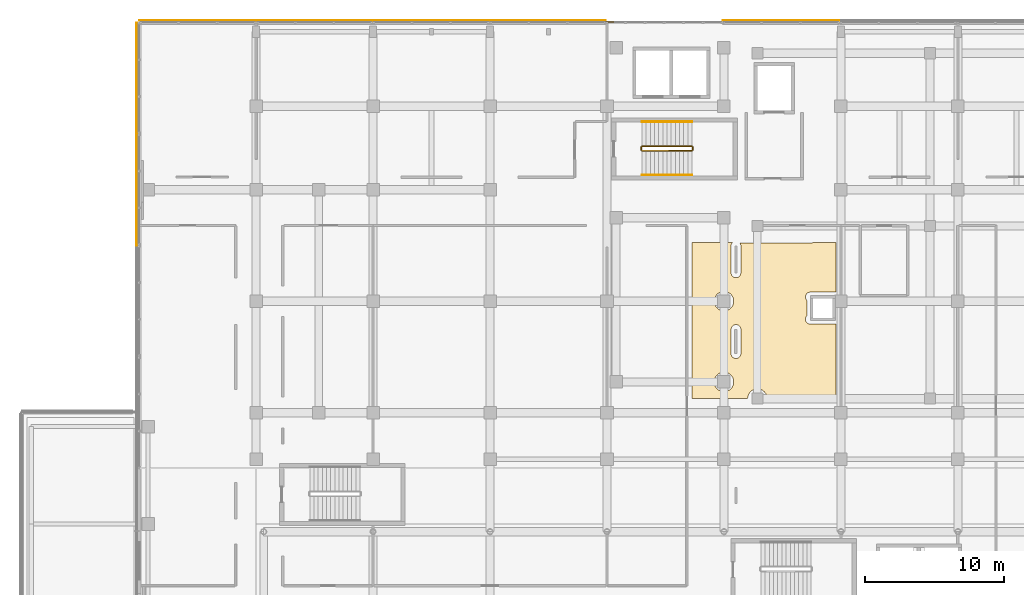
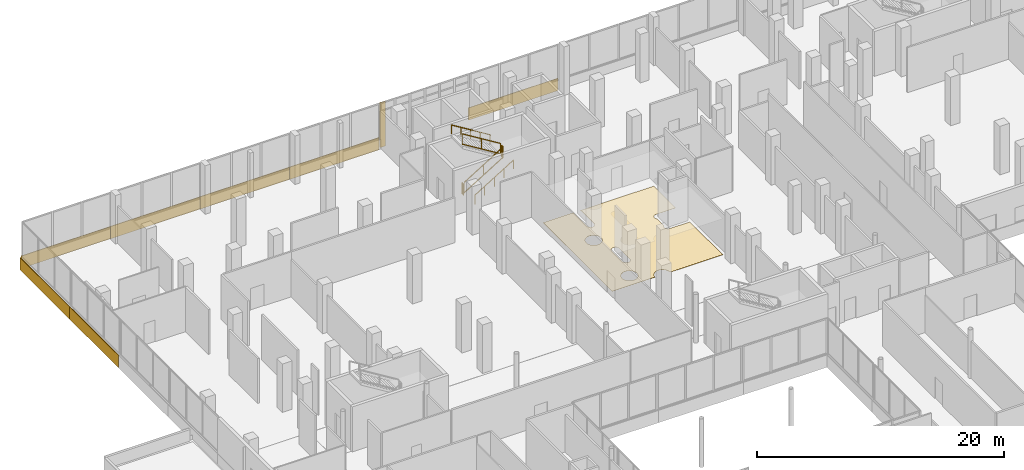
# One storey, part 163 of 168: 9 coverings, 6 railings.
"""IFC4 building model written with IfcOpenShell, lengths in metres."""

import ifcopenshell
import ifcopenshell.guid

model = None  # the IFC model being written
_history = None  # IfcOwnerHistory: only IFC2X3 demands one
_inside = {}  # id of a spatial element -> (the spatial element, [elements in it])
_under = {}  # id of a project, library or spatial element -> (it, [spatial elements below it])
_declared = {}  # id of a project -> (the project, [libraries it declares])
_typed = {}  # id of a type object -> (the type object, [elements of that type])
_made_of = {}  # id of a material, layer set ... -> (it, [elements and type objects made of it])


def new_model(schema):
    """Start an empty IFC model of exactly this schema.

    Asked for "IFC4X3", IfcOpenShell would pick the latest addendum, in which some entities
    have other attributes; the version numbers below select the first issue.
    IFC2X3 requires an IfcOwnerHistory on every rooted entity: one is made here for all.
    """
    global model, _history
    if schema == "IFC4X3":
        model = ifcopenshell.file(schema_version=(4, 3, 0, 0))
    else:
        model = ifcopenshell.file(schema=schema)
    _inside.clear()
    _under.clear()
    _declared.clear()
    _typed.clear()
    _made_of.clear()
    _history = None
    if model.schema == "IFC2X3":
        org = make("IfcOrganization", Name="unknown")
        user = make(
            "IfcPersonAndOrganization",
            ThePerson=make("IfcPerson", FamilyName="unknown"),
            TheOrganization=org,
        )
        app = make(
            "IfcApplication",
            ApplicationDeveloper=org,
            Version="unknown",
            ApplicationFullName="unknown",
            ApplicationIdentifier="unknown",
        )
        _history = make(
            "IfcOwnerHistory",
            OwningUser=user,
            OwningApplication=app,
            ChangeAction="ADDED",
            CreationDate=0,
        )
    return model


def make(cls, **values):
    """One entity of the class cls with the attributes given. An attribute that is None is left unset."""
    return model.create_entity(
        cls, **{name: value for name, value in values.items() if value is not None}
    )


def rooted(cls, **values):
    """An entity with a GlobalId (a new one), such as an element, a storey or a relation."""
    return make(cls, GlobalId=ifcopenshell.guid.new(), OwnerHistory=_history, **values)


def si_unit(unit_type, name, prefix=None):
    """IfcSIUnit, for example si_unit("LENGTHUNIT", "METRE", prefix="MILLI")."""
    return make("IfcSIUnit", UnitType=unit_type, Prefix=prefix, Name=name)


def assignment(units):
    """IfcUnitAssignment: the units of a project."""
    return None if units is None else make("IfcUnitAssignment", Units=units)


def point(xyz):
    """IfcCartesianPoint."""
    return None if xyz is None else make("IfcCartesianPoint", Coordinates=xyz)


def direction(xyz):
    """IfcDirection."""
    return None if xyz is None else make("IfcDirection", DirectionRatios=xyz)


def frame(location, z_axis=None, x_axis=None):
    """IfcAxis2Placement3D, a coordinate frame: its origin and axes. An axis left out is left unset."""
    return make(
        "IfcAxis2Placement3D",
        Location=point(location),
        Axis=direction(z_axis),
        RefDirection=direction(x_axis),
    )


def frame_2d(location, x_axis=None):
    """IfcAxis2Placement2D, a coordinate frame in the plane: its origin and x axis."""
    return make(
        "IfcAxis2Placement2D", Location=point(location), RefDirection=direction(x_axis)
    )


def origin():
    """The frame at (0, 0, 0) with its axes left unset."""
    return frame((0.0, 0.0, 0.0))


def origin_2d():
    """The frame at (0, 0) in the plane with its x axis left unset."""
    return frame_2d((0.0, 0.0))


def place(relative_to, where):
    """IfcLocalPlacement: puts the frame where relative to a parent placement (None: the world)."""
    return make(
        "IfcLocalPlacement", PlacementRelTo=relative_to, RelativePlacement=where
    )


def context(
    kind, dimensions, precision=None, world=None, true_north=None, identifier=None
):
    """IfcGeometricRepresentationContext, for example the 3D "Model" context."""
    return make(
        "IfcGeometricRepresentationContext",
        ContextIdentifier=identifier,
        ContextType=kind,
        CoordinateSpaceDimension=dimensions,
        Precision=precision,
        WorldCoordinateSystem=world,
        TrueNorth=true_north,
    )


def subcontext(parent, identifier, kind, view, scale=None):
    """IfcGeometricRepresentationSubContext, for example "Body" below "Model"."""
    return make(
        "IfcGeometricRepresentationSubContext",
        ContextIdentifier=identifier,
        ContextType=kind,
        ParentContext=parent,
        TargetScale=scale,
        TargetView=view,
    )


def project(units=None, contexts=None):
    """IfcProject with its units and contexts."""
    return rooted(
        "IfcProject",
        Name="project",
        RepresentationContexts=contexts,
        UnitsInContext=assignment(units),
    )


def spatial(cls, under=None, at=None, **own):
    """A site, building, storey or space (cls), placed at a placement, below another one or the project."""
    s = rooted(cls, ObjectPlacement=at, **own)
    if under is not None:
        _under.setdefault(under.id(), (under, []))[1].append(s)
    return s


def polyline(points):
    """IfcPolyline through the points."""
    return make("IfcPolyline", Points=[point(p) for p in points])


def profile(cls, at=None, kind="AREA", **sizes):
    """A parametric profile (cls). Its sizes go by their IFC names, for example OverallWidth=200.0."""
    return make(cls, ProfileType=kind, Position=at, **sizes)


def rectangle(**sizes):
    """IfcRectangleProfileDef."""
    return profile("IfcRectangleProfileDef", **sizes)


def circle(**sizes):
    """IfcCircleProfileDef."""
    return profile("IfcCircleProfileDef", **sizes)


def outline(outer, holes=None, kind="AREA"):
    """IfcArbitraryClosedProfileDef: a profile drawn as a closed curve; with holes, ...WithVoids."""
    if holes is None:
        return make("IfcArbitraryClosedProfileDef", ProfileType=kind, OuterCurve=outer)
    return make(
        "IfcArbitraryProfileDefWithVoids",
        ProfileType=kind,
        OuterCurve=outer,
        InnerCurves=holes,
    )


def extrude(swept, where, along, depth):
    """IfcExtrudedAreaSolid: the profile swept, set in the frame where, extruded along a direction by depth."""
    return make(
        "IfcExtrudedAreaSolid",
        SweptArea=swept,
        Position=where,
        ExtrudedDirection=direction(along),
        Depth=depth,
    )


def shape(context_of_items, identifier, shape_type, items):
    """IfcShapeRepresentation: the items that make up one representation, for example the "Body"."""
    return make(
        "IfcShapeRepresentation",
        ContextOfItems=context_of_items,
        RepresentationIdentifier=identifier,
        RepresentationType=shape_type,
        Items=items,
    )


def material(Name=None, Category=None):
    """IfcMaterial."""
    return make("IfcMaterial", Name=Name, Category=Category)


def layer(
    of_material, thickness, ventilated=None, Name=None, Category=None, Priority=None
):
    """IfcMaterialLayer: one layer of a wall or slab, of a material (None: an air gap)."""
    return make(
        "IfcMaterialLayer",
        Material=of_material,
        LayerThickness=thickness,
        IsVentilated=ventilated,
        Name=Name,
        Category=Category,
        Priority=Priority,
    )


def layer_set(layers, Name=None):
    """IfcMaterialLayerSet."""
    return make("IfcMaterialLayerSet", MaterialLayers=layers, LayerSetName=Name)


def made_of(thing, what):
    """Note that an element or type object is made of a material, layer set ...; save() writes the relation."""
    if what is not None:
        _made_of.setdefault(what.id(), (what, []))[1].append(thing)
    return thing


def type_object(cls, material=None, **own):
    """A type object (cls), such as IfcWallType, which elements share."""
    return made_of(rooted(cls, **own), material)


def element(
    cls,
    number,
    at=None,
    inside=None,
    cuts=None,
    type_object=None,
    material=None,
    context=None,
    identifier="Body",
    shape_type=None,
    held_by="IfcProductDefinitionShape",
    body=None,
    shapes=None,
    **own,
):
    """One element of the class cls, such as IfcWall. Its Tag is "e" and its number.

    at: its placement. inside: the storey or other place that contains it. cuts: it is an
    opening in that element (IfcRelVoidsElement). A single representation is given by context,
    identifier, shape_type and body (its items); several are given by shapes. held_by: the class
    of the entity that holds the representations. save() writes the other relations.
    """
    e = rooted(cls, Tag="e%d" % number, ObjectPlacement=at, **own)
    if body is not None:
        shapes = [shape(context, identifier, shape_type, body)]
    if shapes is not None:
        e.Representation = make(held_by, Representations=shapes)
    if inside is not None:
        _inside.setdefault(inside.id(), (inside, []))[1].append(e)
    if cuts is not None:
        rooted(
            "IfcRelVoidsElement", RelatingBuildingElement=cuts, RelatedOpeningElement=e
        )
    if type_object is not None:
        _typed.setdefault(type_object.id(), (type_object, []))[1].append(e)
    return made_of(e, material)


def aggregate(whole, parts):
    """IfcRelAggregates: a whole, such as a stair, and the parts it consists of."""
    return rooted("IfcRelAggregates", RelatingObject=whole, RelatedObjects=parts)


def save(model, path):
    """Write the relations noted so far, then the file.

    IfcRelAggregates (storeys below a building ...), IfcRelContainedInSpatialStructure (elements
    in a storey), IfcRelDefinesByType, IfcRelAssociatesMaterial and IfcRelDeclares: one each for
    every whole, place, type object, material and project.
    """
    for whole, parts in _under.values():
        aggregate(whole, parts)
    for where, things in _inside.values():
        rooted(
            "IfcRelContainedInSpatialStructure",
            RelatedElements=things,
            RelatingStructure=where,
        )
    for kind, things in _typed.values():
        rooted("IfcRelDefinesByType", RelatedObjects=things, RelatingType=kind)
    for what, things in _made_of.values():
        rooted("IfcRelAssociatesMaterial", RelatedObjects=things, RelatingMaterial=what)
    for by, libraries in _declared.values():
        rooted("IfcRelDeclares", RelatingContext=by, RelatedDefinitions=libraries)
    model.write(path)


model = new_model("IFC4")

# Units and contexts
model_context = context("Model", 3, precision=1e-05, world=origin(), true_north=direction((0.0, 1.0)))
body_context = subcontext(model_context, "Body", "Model", "MODEL_VIEW")
ifc_project = project(units=[si_unit("LENGTHUNIT", "METRE"), si_unit("AREAUNIT", "SQUARE_METRE"), si_unit("VOLUMEUNIT", "CUBIC_METRE"), si_unit("PLANEANGLEUNIT", "RADIAN"), si_unit("MASSUNIT", "GRAM", prefix="KILO")], contexts=[model_context])

# Site, building, storey
site_placement = place(None, origin())
site = spatial("IfcSite", under=ifc_project, at=site_placement, CompositionType="ELEMENT")
building_placement = place(site_placement, origin())
building = spatial("IfcBuilding", under=site, at=building_placement, Name="Selatvlak General Hospital", CompositionType="ELEMENT")
storey_placement = place(building_placement, frame((0.0, 0.0, 5.39990234375)))
storey = spatial("IfcBuildingStorey", under=building, at=storey_placement, Name="L01", CompositionType="ELEMENT", Elevation=5.39990234375)

# Coverings
ifc_material_1 = material(Name="Homogeneous anti-static hospital vinyl flooring")
ifc_layer_1 = layer(ifc_material_1, 0.014892578125, Name="Homogeneous anti-static hospital vinyl flooring")
ifc_layer_set_1 = layer_set([ifc_layer_1], Name="Homogeneous anti-static hospital vinyl flooring")
covering_type_1 = type_object("IfcCoveringType", Name="COV-FLR1", PredefinedType="FLOORING", material=ifc_layer_set_1)
covering_1_placement = place(storey_placement, origin())
element("IfcCovering", 1, at=covering_1_placement, inside=storey, type_object=covering_type_1, Name="L01 seamless vinyl flooring 003", PredefinedType="FLOORING", context=body_context, shape_type="SweptSolid", body=[
    extrude(outline(polyline([(57.0009765625, 104.199951171875), (56.968994140625, 104.158935546875), (56.950927734375, 104.1298828125), (56.93701171875, 104.09912109375), (56.925048828125, 104.06689453125), (56.9169921875, 104.032958984375), (56.912109375, 103.9990234375), (56.909912109375, 103.965087890625), (56.909912109375, 102.034912109375), (56.912109375, 102.0009765625), (56.9169921875, 101.967041015625), (56.925048828125, 101.93310546875), (56.93701171875, 101.90087890625), (56.950927734375, 101.8701171875), (56.968994140625, 101.841064453125), (56.989013671875, 101.81298828125), (57.012939453125, 101.7880859375), (57.0380859375, 101.763916015625), (57.06591796875, 101.743896484375), (57.094970703125, 101.72607421875), (57.1259765625, 101.7119140625), (57.157958984375, 101.699951171875), (57.19189453125, 101.69189453125), (57.22607421875, 101.68701171875), (57.260009765625, 101.68505859375), (57.2939453125, 101.68701171875), (57.327880859375, 101.69189453125), (57.362060546875, 101.699951171875), (57.39404296875, 101.7119140625), (57.425048828125, 101.72607421875), (57.4541015625, 101.743896484375), (57.48193359375, 101.763916015625), (57.507080078125, 101.7880859375), (57.531005859375, 101.81298828125), (57.551025390625, 101.841064453125), (57.569091796875, 101.8701171875), (57.5830078125, 101.90087890625), (57.594970703125, 101.93310546875), (57.60302734375, 101.967041015625), (57.60791015625, 102.0009765625), (57.610107421875, 102.034912109375), (57.610107421875, 103.965087890625), (57.60791015625, 103.9990234375), (57.60302734375, 104.032958984375), (57.594970703125, 104.06689453125), (57.5830078125, 104.09912109375), (57.569091796875, 104.1298828125), (57.551025390625, 104.158935546875), (57.531005859375, 104.18701171875), (64.449951171875, 104.199951171875), (64.449951171875, 100.64599609375), (64.39990234375, 100.64990234375), (62.60009765625, 100.64990234375), (62.56591796875, 100.64794921875), (62.531982421875, 100.64306640625), (62.498046875, 100.635009765625), (62.466064453125, 100.623046875), (62.43505859375, 100.60888671875), (62.406005859375, 100.591064453125), (62.3779296875, 100.571044921875), (62.35302734375, 100.547119140625), (62.3291015625, 100.52197265625), (62.30908203125, 100.493896484375), (62.291015625, 100.465087890625), (62.277099609375, 100.43408203125), (62.264892578125, 100.402099609375), (62.257080078125, 100.367919921875), (62.251953125, 100.333984375), (62.25, 100.300048828125), (62.251953125, 100.26611328125), (62.257080078125, 100.23193359375), (62.264892578125, 100.197998046875), (62.277099609375, 100.166015625), (62.291015625, 100.135009765625), (62.30908203125, 100.10595703125), (62.3291015625, 100.077880859375), (62.35009765625, 100.054931640625), (62.35009765625, 98.945068359375), (62.3291015625, 98.922119140625), (62.30908203125, 98.89404296875), (62.291015625, 98.864990234375), (62.277099609375, 98.833984375), (62.264892578125, 98.802001953125), (62.257080078125, 98.76806640625), (62.251953125, 98.73388671875), (62.25, 98.699951171875), (62.251953125, 98.666015625), (62.257080078125, 98.632080078125), (62.264892578125, 98.597900390625), (62.277099609375, 98.56591796875), (62.291015625, 98.534912109375), (62.30908203125, 98.506103515625), (62.3291015625, 98.47802734375), (62.35302734375, 98.452880859375), (62.3779296875, 98.428955078125), (62.406005859375, 98.408935546875), (62.43505859375, 98.39111328125), (62.466064453125, 98.376953125), (62.498046875, 98.364990234375), (62.531982421875, 98.35693359375), (62.56591796875, 98.35205078125), (62.60009765625, 98.35009765625), (64.39990234375, 98.35009765625), (64.43408203125, 98.35205078125), (64.449951171875, 93.0), (59.5, 93.0), (59.4970703125, 93.069091796875), (59.487060546875, 93.136962890625), (59.469970703125, 93.202880859375), (59.447021484375, 93.26806640625), (59.4169921875, 93.330078125), (59.382080078125, 93.388916015625), (59.341064453125, 93.444091796875), (59.294921875, 93.4951171875), (59.243896484375, 93.541015625), (59.18896484375, 93.58203125), (59.1298828125, 93.616943359375), (59.068115234375, 93.64697265625), (59.0029296875, 93.669921875), (58.93701171875, 93.68701171875), (58.868896484375, 93.697021484375), (58.800048828125, 93.699951171875), (58.73095703125, 93.697021484375), (58.6630859375, 93.68701171875), (58.596923828125, 93.669921875), (58.531982421875, 93.64697265625), (58.469970703125, 93.616943359375), (58.410888671875, 93.58203125), (58.35595703125, 93.541015625), (58.304931640625, 93.4951171875), (58.259033203125, 93.444091796875), (58.218017578125, 93.388916015625), (58.18310546875, 93.330078125), (58.153076171875, 93.26806640625), (58.1298828125, 93.202880859375), (58.113037109375, 93.136962890625), (58.10302734375, 93.069091796875), (58.10009765625, 93.0), (54.090087890625, 93.0), (54.090087890625, 104.199951171875), (57.0009765625, 104.199951171875)]), holes=[polyline([(56.89501953125, 93.705078125), (56.94091796875, 93.756103515625), (56.98193359375, 93.81103515625), (57.01708984375, 93.8701171875), (57.047119140625, 93.931884765625), (57.070068359375, 93.9970703125), (57.0869140625, 94.06298828125), (57.096923828125, 94.131103515625), (57.10009765625, 94.199951171875), (57.096923828125, 94.26904296875), (57.0869140625, 94.3369140625), (57.070068359375, 94.403076171875), (57.047119140625, 94.468017578125), (57.01708984375, 94.530029296875), (56.98193359375, 94.589111328125), (56.94091796875, 94.64404296875), (56.89501953125, 94.695068359375), (56.843994140625, 94.740966796875), (56.7890625, 94.781982421875), (56.72998046875, 94.81689453125), (56.66796875, 94.846923828125), (56.60302734375, 94.8701171875), (56.537109375, 94.886962890625), (56.468994140625, 94.89697265625), (56.39990234375, 94.89990234375), (56.3310546875, 94.89697265625), (56.262939453125, 94.886962890625), (56.197021484375, 94.8701171875), (56.132080078125, 94.846923828125), (56.070068359375, 94.81689453125), (56.010986328125, 94.781982421875), (55.9560546875, 94.740966796875), (55.905029296875, 94.695068359375), (55.85888671875, 94.64404296875), (55.818115234375, 94.589111328125), (55.782958984375, 94.530029296875), (55.7529296875, 94.468017578125), (55.72998046875, 94.403076171875), (55.712890625, 94.3369140625), (55.702880859375, 94.26904296875), (55.699951171875, 94.199951171875), (55.702880859375, 94.131103515625), (55.712890625, 94.06298828125), (55.72998046875, 93.9970703125), (55.7529296875, 93.931884765625), (55.782958984375, 93.8701171875), (55.818115234375, 93.81103515625), (55.85888671875, 93.756103515625), (55.905029296875, 93.705078125), (55.9560546875, 93.658935546875), (56.010986328125, 93.617919921875), (56.070068359375, 93.5830078125), (56.132080078125, 93.552978515625), (56.197021484375, 93.530029296875), (56.262939453125, 93.512939453125), (56.3310546875, 93.5029296875), (56.39990234375, 93.5), (56.468994140625, 93.5029296875), (56.537109375, 93.512939453125), (56.60302734375, 93.530029296875), (56.66796875, 93.552978515625), (56.72998046875, 93.5830078125), (56.7890625, 93.617919921875), (56.843994140625, 93.658935546875), (56.89501953125, 93.705078125)]), polyline([(56.89501953125, 99.5048828125), (56.94091796875, 99.555908203125), (56.98193359375, 99.611083984375), (57.01708984375, 99.669921875), (57.047119140625, 99.73193359375), (57.070068359375, 99.797119140625), (57.0869140625, 99.863037109375), (57.096923828125, 99.930908203125), (57.10009765625, 100.0), (57.096923828125, 100.069091796875), (57.0869140625, 100.136962890625), (57.070068359375, 100.202880859375), (57.047119140625, 100.26806640625), (57.01708984375, 100.330078125), (56.98193359375, 100.388916015625), (56.94091796875, 100.444091796875), (56.89501953125, 100.4951171875), (56.843994140625, 100.541015625), (56.7890625, 100.58203125), (56.72998046875, 100.616943359375), (56.66796875, 100.64697265625), (56.60302734375, 100.669921875), (56.537109375, 100.68701171875), (56.468994140625, 100.697021484375), (56.39990234375, 100.699951171875), (56.3310546875, 100.697021484375), (56.262939453125, 100.68701171875), (56.197021484375, 100.669921875), (56.132080078125, 100.64697265625), (56.070068359375, 100.616943359375), (56.010986328125, 100.58203125), (55.9560546875, 100.541015625), (55.905029296875, 100.4951171875), (55.85888671875, 100.444091796875), (55.818115234375, 100.388916015625), (55.782958984375, 100.330078125), (55.7529296875, 100.26806640625), (55.72998046875, 100.202880859375), (55.712890625, 100.136962890625), (55.702880859375, 100.069091796875), (55.699951171875, 100.0), (55.702880859375, 99.930908203125), (55.712890625, 99.863037109375), (55.72998046875, 99.797119140625), (55.7529296875, 99.73193359375), (55.782958984375, 99.669921875), (55.818115234375, 99.611083984375), (55.85888671875, 99.555908203125), (55.905029296875, 99.5048828125), (55.9560546875, 99.458984375), (56.010986328125, 99.41796875), (56.070068359375, 99.383056640625), (56.132080078125, 99.35302734375), (56.197021484375, 99.330078125), (56.262939453125, 99.31298828125), (56.3310546875, 99.302978515625), (56.39990234375, 99.300048828125), (56.468994140625, 99.302978515625), (56.537109375, 99.31298828125), (56.60302734375, 99.330078125), (56.66796875, 99.35302734375), (56.72998046875, 99.383056640625), (56.7890625, 99.41796875), (56.843994140625, 99.458984375), (56.89501953125, 99.5048828125)]), polyline([(57.0380859375, 98.236083984375), (57.012939453125, 98.2119140625), (56.989013671875, 98.18701171875), (56.968994140625, 98.158935546875), (56.950927734375, 98.1298828125), (56.93701171875, 98.09912109375), (56.925048828125, 98.06689453125), (56.9169921875, 98.032958984375), (56.912109375, 97.9990234375), (56.909912109375, 97.965087890625), (56.909912109375, 96.235107421875), (56.912109375, 96.200927734375), (56.9169921875, 96.1669921875), (56.925048828125, 96.133056640625), (56.93701171875, 96.10107421875), (56.950927734375, 96.070068359375), (56.968994140625, 96.041015625), (56.989013671875, 96.012939453125), (57.012939453125, 95.988037109375), (57.0380859375, 95.964111328125), (57.06591796875, 95.944091796875), (57.094970703125, 95.926025390625), (57.1259765625, 95.912109375), (57.157958984375, 95.89990234375), (57.19189453125, 95.89208984375), (57.22607421875, 95.886962890625), (57.260009765625, 95.885009765625), (57.2939453125, 95.886962890625), (57.327880859375, 95.89208984375), (57.362060546875, 95.89990234375), (57.39404296875, 95.912109375), (57.425048828125, 95.926025390625), (57.4541015625, 95.944091796875), (57.48193359375, 95.964111328125), (57.507080078125, 95.988037109375), (57.531005859375, 96.012939453125), (57.551025390625, 96.041015625), (57.569091796875, 96.070068359375), (57.5830078125, 96.10107421875), (57.594970703125, 96.133056640625), (57.60302734375, 96.1669921875), (57.60791015625, 96.200927734375), (57.610107421875, 96.235107421875), (57.610107421875, 97.965087890625), (57.60791015625, 97.9990234375), (57.60302734375, 98.032958984375), (57.594970703125, 98.06689453125), (57.5830078125, 98.09912109375), (57.569091796875, 98.1298828125), (57.551025390625, 98.158935546875), (57.531005859375, 98.18701171875), (57.507080078125, 98.2119140625), (57.48193359375, 98.236083984375), (57.4541015625, 98.256103515625), (57.425048828125, 98.27392578125), (57.39404296875, 98.2880859375), (57.362060546875, 98.300048828125), (57.327880859375, 98.30810546875), (57.2939453125, 98.31298828125), (57.260009765625, 98.31494140625), (57.22607421875, 98.31298828125), (57.19189453125, 98.30810546875), (57.157958984375, 98.300048828125), (57.1259765625, 98.2880859375), (57.094970703125, 98.27392578125), (57.06591796875, 98.256103515625), (57.0380859375, 98.236083984375)])]), origin(), (0.0, 0.0, 1.0), 0.01513671875),
])
ifc_material_2 = material(Name="White Bauhaus fair-faced cladding panel")
ifc_layer_2 = layer(ifc_material_2, 0.054931640625, Name="White Bauhaus fair-faced cladding panel")
ifc_layer_set_2 = layer_set([ifc_layer_2], Name="White Bauhaus fair-faced cladding panel")
covering_type_2 = type_object("IfcCoveringType", Name="COV-WHT1", PredefinedType="CLADDING", material=ifc_layer_set_2)
for number, where, z_axis, x_axis, name in (
    (2, (14.235107421875, 107.9990234375, -0.27978515625), (0.0, 0.0, 1.0), (0.0, 1.0, 0.0), "L01 Bauhaus horizontal white spandrel band 0048"),
    (3, (14.235107421875, 115.9990234375, -0.27978515625), (0.0, 0.0, 1.0), (0.0, 1.0, 0.0), "L01 Bauhaus horizontal white spandrel band 0049"),
):
    element("IfcCovering", number, at=place(storey_placement, frame(where, z_axis=z_axis, x_axis=x_axis)), inside=storey, type_object=covering_type_2, Name=name, PredefinedType="CLADDING", context=body_context, shape_type="SweptSolid", body=[
        extrude(rectangle(XDim=8.0, YDim=0.054931640625, at=origin_2d()), origin(), (0.0, 0.0, 1.0), 1.219970703125),
    ])
for number, where, z_axis, x_axis, name in (
    (4, (18.590087890625, 120.1640625, -0.27978515625), (0.0, 0.0, 1.0), (1.0, 0.0, 0.0), "L01 Bauhaus horizontal white spandrel band 0050"),
    (5, (26.969970703125, 120.1640625, -0.27978515625), (0.0, 0.0, 1.0), (1.0, 0.0, 0.0), "L01 Bauhaus horizontal white spandrel band 0051"),
    (6, (35.35009765625, 120.1640625, -0.27978515625), (0.0, 0.0, 1.0), (1.0, 0.0, 0.0), "L01 Bauhaus horizontal white spandrel band 0052"),
    (7, (43.72998046875, 120.1640625, -0.27978515625), (0.0, 0.0, 1.0), (1.0, 0.0, 0.0), "L01 Bauhaus horizontal white spandrel band 0053"),
):
    element("IfcCovering", number, at=place(storey_placement, frame(where, z_axis=z_axis, x_axis=x_axis)), inside=storey, type_object=covering_type_2, Name=name, PredefinedType="CLADDING", context=body_context, shape_type="SweptSolid", body=[
        extrude(rectangle(XDim=8.3798828125, YDim=0.054931640625, at=origin_2d()), origin(), (0.0, 0.0, 1.0), 1.219970703125),
    ])
covering_2_placement = place(storey_placement, frame((48.195068359375, 120.0439453125, 0.00048828125), z_axis=(0.0, 0.0, 1.0), x_axis=(1.0, 0.0, 0.0)))
element("IfcCovering", 8, at=covering_2_placement, inside=storey, type_object=covering_type_2, Name="L01 Bauhaus vertical core pilaster 0054", PredefinedType="CLADDING", context=body_context, shape_type="SweptSolid", body=[
    extrude(rectangle(XDim=0.550048828125, YDim=0.054931640625, at=origin_2d()), origin(), (0.0, 0.0, 1.0), 4.445068359375),
])
covering_3_placement = place(storey_placement, frame((60.489990234375, 120.1640625, -0.27978515625), z_axis=(0.0, 0.0, 1.0), x_axis=(1.0, 0.0, 0.0)))
element("IfcCovering", 9, at=covering_3_placement, inside=storey, type_object=covering_type_2, Name="L01 Bauhaus horizontal white spandrel band 0055", PredefinedType="CLADDING", context=body_context, shape_type="SweptSolid", body=[
    extrude(rectangle(XDim=8.3798828125, YDim=0.054931640625, at=origin_2d()), origin(), (0.0, 0.0, 1.0), 1.219970703125),
])

# Railings
ifc_material_3 = material(Name="Stainless steel 316 stair guard", Category="steel")
railing_type_1 = type_object("IfcRailingType", Name="RAIL-STG", PredefinedType="GUARDRAIL", material=ifc_material_3)
railing_1_placement = place(storey_placement, frame((50.510009765625, 110.81005859375, 0.184814453125)))
element("IfcRailing", 10, at=railing_1_placement, inside=storey, type_object=railing_type_1, Name="L01 ST-01 stair guard 1", PredefinedType="GUARDRAIL", context=body_context, shape_type="SweptSolid", body=[
    extrude(rectangle(XDim=0.068115234375, YDim=0.068115234375, at=origin_2d()), frame((0.00244140625, 0.0, 1.067626953125), z_axis=(0.85167021472, 0.0, 0.524078090897), x_axis=(0.0, 1.0, 0.0)), (0.0, 0.0, 1.0), 4.22119140625),
    extrude(rectangle(XDim=0.068115234375, YDim=0.068115234375, at=origin_2d()), frame((0.00244140625, 0.0, 0.050537109375), z_axis=(0.85167021472, 0.0, 0.524078090897), x_axis=(0.0, 1.0, 0.0)), (0.0, 0.0, 1.0), 4.22119140625),
    extrude(rectangle(XDim=0.055908203125, YDim=0.055908203125, at=origin_2d()), origin(), (0.0, 0.0, 1.0), 1.029052734375),
    extrude(rectangle(XDim=0.055908203125, YDim=0.055908203125, at=origin_2d()), frame((1.800048828125, 0.0, 1.107666015625)), (0.0, 0.0, 1.0), 1.029052734375),
    extrude(rectangle(XDim=0.055908203125, YDim=0.055908203125, at=origin_2d()), frame((3.60009765625, 0.0, 2.21533203125)), (0.0, 0.0, 1.0), 1.029052734375),
])
railing_2_placement = place(storey_placement, frame((54.159912109375, 110.860107421875, 2.400146484375)))
element("IfcRailing", 11, at=railing_2_placement, inside=storey, type_object=railing_type_1, Name="L01 ST-01 stair guard 2", PredefinedType="GUARDRAIL", context=body_context, shape_type="SweptSolid", body=[
    extrude(rectangle(XDim=0.068115234375, YDim=0.068115234375, at=origin_2d()), frame((0.0, 0.0029296875, 1.06591796875), z_axis=(0.0, 1.0, 0.0), x_axis=(-1.0, 0.0, 0.0)), (0.0, 0.0, 1.0), 0.214111328125),
    extrude(rectangle(XDim=0.068115234375, YDim=0.068115234375, at=origin_2d()), frame((0.0, 0.0029296875, 0.049072265625), z_axis=(0.0, 1.0, 0.0), x_axis=(-1.0, 0.0, 0.0)), (0.0, 0.0, 1.0), 0.214111328125),
    extrude(rectangle(XDim=0.055908203125, YDim=0.055908203125, at=origin_2d()), origin(), (0.0, 0.0, 1.0), 1.029052734375),
    extrude(rectangle(XDim=0.055908203125, YDim=0.055908203125, at=origin_2d()), frame((0.0, 0.219970703125, 0.0)), (0.0, 0.0, 1.0), 1.029052734375),
])
railing_3_placement = place(storey_placement, frame((54.110107421875, 111.1298828125, 2.584716796875)))
element("IfcRailing", 12, at=railing_3_placement, inside=storey, type_object=railing_type_1, Name="L01 ST-01 stair guard 3", PredefinedType="GUARDRAIL", context=body_context, shape_type="SweptSolid", body=[
    extrude(rectangle(XDim=0.068115234375, YDim=0.068115234375, at=origin_2d()), frame((-0.00244140625, 0.0, 1.067626953125), z_axis=(-0.85167021472, 0.0, 0.524078090897), x_axis=(0.0, -1.0, 0.0)), (0.0, 0.0, 1.0), 4.22119140625),
    extrude(rectangle(XDim=0.068115234375, YDim=0.068115234375, at=origin_2d()), frame((-0.00244140625, 0.0, 0.050537109375), z_axis=(-0.85167021472, 0.0, 0.524078090897), x_axis=(0.0, -1.0, 0.0)), (0.0, 0.0, 1.0), 4.22119140625),
    extrude(rectangle(XDim=0.055908203125, YDim=0.055908203125, at=origin_2d()), origin(), (0.0, 0.0, 1.0), 1.029052734375),
    extrude(rectangle(XDim=0.055908203125, YDim=0.055908203125, at=origin_2d()), frame((-1.800048828125, 0.0, 1.107666015625)), (0.0, 0.0, 1.0), 1.029052734375),
    extrude(rectangle(XDim=0.055908203125, YDim=0.055908203125, at=origin_2d()), frame((-3.60009765625, 0.0, 2.21533203125)), (0.0, 0.0, 1.0), 1.029052734375),
])
railing_4_placement = place(storey_placement, frame((50.4599609375, 110.860107421875, 0.0)))
element("IfcRailing", 13, at=railing_4_placement, inside=storey, type_object=railing_type_1, Name="L01 ST-01 stair guard 4", PredefinedType="GUARDRAIL", context=body_context, shape_type="SweptSolid", body=[
    extrude(rectangle(XDim=0.068115234375, YDim=0.068115234375, at=origin_2d()), frame((0.0, 0.0029296875, 1.06591796875), z_axis=(0.0, 1.0, 0.0), x_axis=(-1.0, 0.0, 0.0)), (0.0, 0.0, 1.0), 0.214111328125),
    extrude(rectangle(XDim=0.068115234375, YDim=0.068115234375, at=origin_2d()), frame((0.0, 0.0029296875, 0.049072265625), z_axis=(0.0, 1.0, 0.0), x_axis=(-1.0, 0.0, 0.0)), (0.0, 0.0, 1.0), 0.214111328125),
    extrude(rectangle(XDim=0.055908203125, YDim=0.055908203125, at=origin_2d()), origin(), (0.0, 0.0, 1.0), 1.029052734375),
    extrude(rectangle(XDim=0.055908203125, YDim=0.055908203125, at=origin_2d()), frame((0.0, 0.219970703125, 0.0)), (0.0, 0.0, 1.0), 1.029052734375),
])
ifc_material_4 = material(Name="Stainless steel 316 handrail", Category="steel")
railing_type_2 = type_object("IfcRailingType", Name="RAIL-STH", PredefinedType="HANDRAIL", material=ifc_material_4)
railing_5_placement = place(storey_placement, frame((50.510009765625, 109.050048828125, 0.184814453125)))
element("IfcRailing", 14, at=railing_5_placement, inside=storey, type_object=railing_type_2, Name="L01 ST-01 stair handrail 1", PredefinedType="HANDRAIL", context=body_context, shape_type="SweptSolid", body=[
    extrude(circle(Radius=0.02392578125, at=origin_2d()), frame((0.00244140625, 0.0, 0.87744140625), z_axis=(0.85167021472, 0.0, 0.524078090897), x_axis=(0.0, 1.0, 0.0)), (0.0, 0.0, 1.0), 4.22119140625),
    extrude(circle(Radius=0.02099609375, at=origin_2d()), origin(), (0.0, 0.0, 1.0), 0.848876953125),
    extrude(circle(Radius=0.02099609375, at=origin_2d()), frame((0.89990234375, 0.0, 0.5537109375)), (0.0, 0.0, 1.0), 0.848876953125),
    extrude(circle(Radius=0.02099609375, at=origin_2d()), frame((1.800048828125, 0.0, 1.107666015625)), (0.0, 0.0, 1.0), 0.848876953125),
    extrude(circle(Radius=0.02099609375, at=origin_2d()), frame((2.7001953125, 0.0, 1.66162109375)), (0.0, 0.0, 1.0), 0.848876953125),
    extrude(circle(Radius=0.02099609375, at=origin_2d()), frame((3.60009765625, 0.0, 2.21533203125)), (0.0, 0.0, 1.0), 0.848876953125),
])
railing_6_placement = place(storey_placement, frame((54.110107421875, 112.889892578125, 2.584716796875)))
element("IfcRailing", 15, at=railing_6_placement, inside=storey, type_object=railing_type_2, Name="L01 ST-01 stair handrail 2", PredefinedType="HANDRAIL", context=body_context, shape_type="SweptSolid", body=[
    extrude(circle(Radius=0.02392578125, at=origin_2d()), frame((-0.00244140625, 0.0, 0.87744140625), z_axis=(-0.85167021472, 0.0, 0.524078090897), x_axis=(0.0, -1.0, 0.0)), (0.0, 0.0, 1.0), 4.22119140625),
    extrude(circle(Radius=0.02099609375, at=origin_2d()), origin(), (0.0, 0.0, 1.0), 0.848876953125),
    extrude(circle(Radius=0.02099609375, at=origin_2d()), frame((-0.89990234375, 0.0, 0.5537109375)), (0.0, 0.0, 1.0), 0.848876953125),
    extrude(circle(Radius=0.02099609375, at=origin_2d()), frame((-1.800048828125, 0.0, 1.107666015625)), (0.0, 0.0, 1.0), 0.848876953125),
    extrude(circle(Radius=0.02099609375, at=origin_2d()), frame((-2.7001953125, 0.0, 1.66162109375)), (0.0, 0.0, 1.0), 0.848876953125),
    extrude(circle(Radius=0.02099609375, at=origin_2d()), frame((-3.60009765625, 0.0, 2.21533203125)), (0.0, 0.0, 1.0), 0.848876953125),
])

save(model, "model.ifc")
